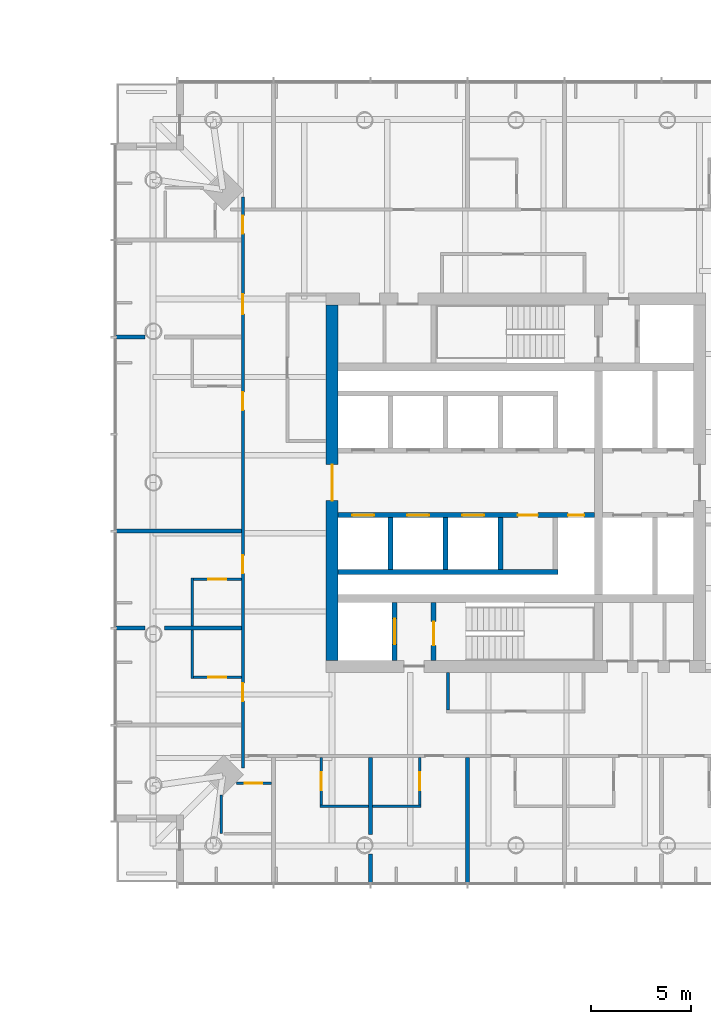
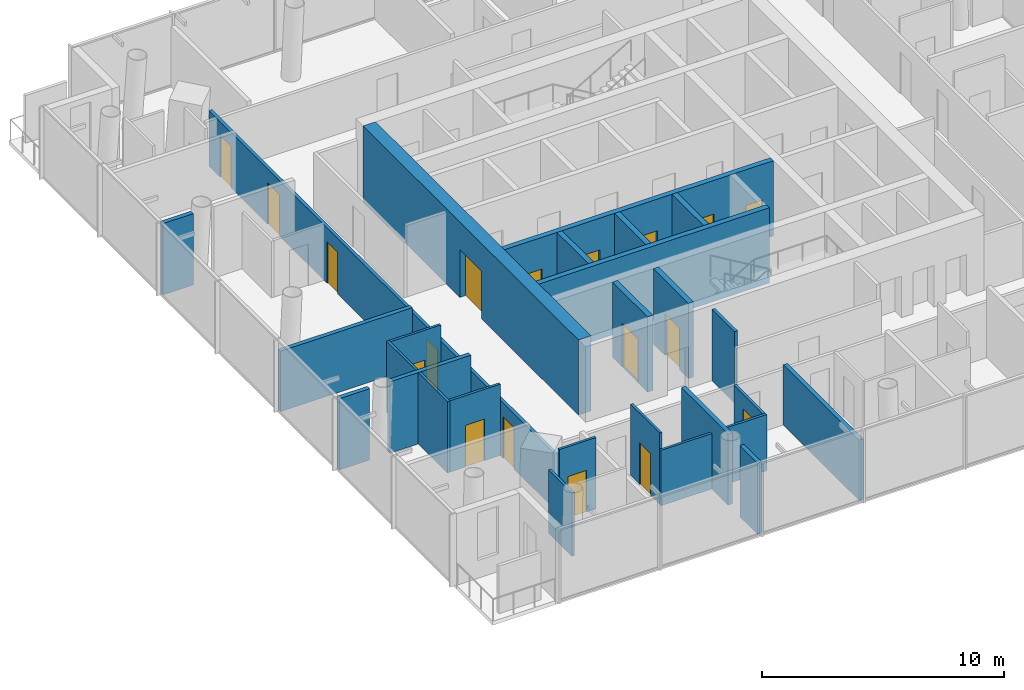
# One storey, part 14 of 22: 27 walls, 18 doors, 18 openings.
"""IFC4 building model written with IfcOpenShell, lengths in metres."""

from ifc_helpers import new_model, si_unit, direction, frame, frame_2d, origin, place, context, subcontext, project, spatial, rectangle, extrude, material, layer, layer_set, type_object, element, fill, save


model = new_model("IFC4")

# Units and contexts
model_context = context("Model", 3, precision=1e-05, world=origin(), true_north=direction((0.0, 1.0)))
body_context = subcontext(model_context, "Body", "Model", "MODEL_VIEW")
ifc_project = project(units=[si_unit("LENGTHUNIT", "METRE"), si_unit("AREAUNIT", "SQUARE_METRE"), si_unit("VOLUMEUNIT", "CUBIC_METRE"), si_unit("PLANEANGLEUNIT", "RADIAN"), si_unit("MASSUNIT", "GRAM", prefix="KILO")], contexts=[model_context])

# Site, building, storey
site_placement = place(None, origin())
site = spatial("IfcSite", under=ifc_project, at=site_placement, CompositionType="ELEMENT")
building_placement = place(site_placement, origin())
building = spatial("IfcBuilding", under=site, at=building_placement, Name="Ostroluk Exchange", CompositionType="ELEMENT")
storey_placement = place(building_placement, frame((0.0, 0.0, 40.0)))
storey = spatial("IfcBuildingStorey", under=building, at=storey_placement, Name="L09", CompositionType="ELEMENT", Elevation=40.0)

# Wall, opening, door
ifc_material_1 = material(Name="Concrete C40/50", Category="concrete")
ifc_layer_1 = layer(ifc_material_1, 0.25)
ifc_layer_set_1 = layer_set([ifc_layer_1], Name="Core shaft wall 250")
wall_type_1 = type_object("IfcWallType", Name="Core shaft wall 250", PredefinedType="SHEAR", material=ifc_layer_set_1)
wall_1_placement = place(storey_placement, frame((110.925048828125, 37.10009765625, 0.0), z_axis=(0.0, 0.0, 1.0), x_axis=(0.0, 1.0, 0.0)))
wall_1 = element("IfcWall", 1, at=wall_1_placement, inside=storey, type_object=wall_type_1, Name="Firefighting lift shaft wall", PredefinedType="SHEAR", context=body_context, shape_type="SweptSolid", body=[
    extrude(rectangle(XDim=2.89990234375, YDim=0.25, at=frame_2d((1.449951171875, 0.0))), origin(), (0.0, 0.0, 1.0), 3.800048828125),
])
opening_1_placement = place(wall_1_placement, frame((0.800048828125, 0.0, 0.0)))
opening_1 = element("IfcOpeningElement", 2, at=opening_1_placement, cuts=wall_1, Name="Opening LD2", PredefinedType="OPENING", context=body_context, shape_type="SweptSolid", body=[
    extrude(rectangle(XDim=1.300048828125, YDim=2.199951171875, at=frame_2d((0.64990234375, 1.10009765625))), frame((0.0, 0.135009765625, 0.0), z_axis=(0.0, -1.0, 0.0), x_axis=(1.0, 0.0, 0.0)), (0.0, 0.0, 1.0), 0.27001953125),
])
ifc_material_2 = material(Name="Stainless steel", Category="steel")
door_type_1 = type_object("IfcDoorType", Name="Lift landing door E 60 1300 x 2200", OperationType="DOUBLE_DOOR_SLIDING", PredefinedType="DOOR", material=ifc_material_2)
door_1_placement = place(opening_1_placement, origin())
door_1 = element("IfcDoor", 3, at=door_1_placement, inside=storey, type_object=door_type_1, Name="Lift HF1 landing door", OperationType="DOUBLE_DOOR_SLIDING", OverallHeight=2.199951171875, OverallWidth=1.300048828125, PredefinedType="DOOR", context=body_context, shape_type="SweptSolid", body=[
    extrude(rectangle(XDim=1.300048828125, YDim=2.199951171875, at=frame_2d((0.64990234375, 1.10009765625))), frame((0.0, 0.02490234375, 0.0), z_axis=(0.0, -1.0, 0.0), x_axis=(1.0, 0.0, 0.0)), (0.0, 0.0, 1.0), 0.050048828125),
])
fill(opening_1, door_1)

wall_2_placement = place(storey_placement, frame((112.875, 37.10009765625, 0.0), z_axis=(0.0, 0.0, 1.0), x_axis=(0.0, 1.0, 0.0)))
wall_2 = element("IfcWall", 4, at=wall_2_placement, inside=storey, type_object=wall_type_1, Name="Stair shaft wall", PredefinedType="SHEAR", context=body_context, shape_type="SweptSolid", body=[
    extrude(rectangle(XDim=2.89990234375, YDim=0.25, at=frame_2d((1.449951171875, 0.0))), origin(), (0.0, 0.0, 1.0), 3.800048828125),
])
opening_2_placement = place(wall_2_placement, frame((0.75, 0.0, 0.0)))
opening_2 = element("IfcOpeningElement", 5, at=opening_2_placement, cuts=wall_2, Name="Opening FD60S", PredefinedType="OPENING", context=body_context, shape_type="SweptSolid", body=[
    extrude(rectangle(XDim=1.199951171875, YDim=2.10009765625, at=frame_2d((0.60009765625, 1.050048828125))), frame((0.0, 0.135009765625, 0.0), z_axis=(0.0, -1.0, 0.0), x_axis=(1.0, 0.0, 0.0)), (0.0, 0.0, 1.0), 0.27001953125),
])
ifc_material_3 = material(Name="Steel", Category="steel")
door_type_2 = type_object("IfcDoorType", Name="Stair door EI 60 1200 x 2100", OperationType="SINGLE_SWING_LEFT", PredefinedType="DOOR", material=ifc_material_3)
door_2_placement = place(opening_2_placement, origin())
door_2 = element("IfcDoor", 6, at=door_2_placement, inside=storey, type_object=door_type_2, Name="Stair T2-S1 door", OperationType="SINGLE_SWING_LEFT", OverallHeight=2.10009765625, OverallWidth=1.199951171875, PredefinedType="DOOR", context=body_context, shape_type="SweptSolid", body=[
    extrude(rectangle(XDim=1.199951171875, YDim=2.10009765625, at=frame_2d((0.60009765625, 1.050048828125))), frame((0.0, 0.02490234375, 0.0), z_axis=(0.0, -1.0, 0.0), x_axis=(1.0, 0.0, 0.0)), (0.0, 0.0, 1.0), 0.050048828125),
])
fill(opening_2, door_2)

# Walls
for number, where, z_axis, x_axis, name in (
    (7, (110.72509765625, 44.25, 0.0), (0.0, 0.0, 1.0), (0.0, -1.0, 0.0), "Lift shaft wall"),
    (8, (113.47509765625, 44.25, 0.0), (0.0, 0.0, 1.0), (0.0, -1.0, 0.0), "Lift shaft wall"),
    (9, (116.22509765625, 44.25, 0.0), (0.0, 0.0, 1.0), (0.0, -1.0, 0.0), "Lift shaft wall"),
):
    element("IfcWall", number, at=place(storey_placement, frame(where, z_axis=z_axis, x_axis=x_axis)), inside=storey, type_object=wall_type_1, Name=name, PredefinedType="SHEAR", context=body_context, shape_type="SweptSolid", body=[
        extrude(rectangle(XDim=2.60009765625, YDim=0.25, at=frame_2d((1.300048828125, 0.0))), origin(), (0.0, 0.0, 1.0), 3.800048828125),
    ])
wall_3_placement = place(storey_placement, frame((108.10009765625, 41.52490234375, 0.0), z_axis=(0.0, 0.0, 1.0), x_axis=(1.0, 0.0, 0.0)))
element("IfcWall", 10, at=wall_3_placement, inside=storey, type_object=wall_type_1, Name="Lift shaft wall", PredefinedType="SHEAR", context=body_context, shape_type="SweptSolid", body=[
    extrude(rectangle(XDim=11.0, YDim=0.25, at=frame_2d((5.5, 0.0))), origin(), (0.0, 0.0, 1.0), 3.800048828125),
])

# Wall, openings, doors
wall_4_placement = place(storey_placement, frame((108.10009765625, 44.375, 0.0), z_axis=(0.0, 0.0, 1.0), x_axis=(1.0, 0.0, 0.0)))
wall_4 = element("IfcWall", 11, at=wall_4_placement, inside=storey, type_object=wall_type_1, Name="Lift shaft front wall", PredefinedType="SHEAR", context=body_context, shape_type="SweptSolid", body=[
    extrude(rectangle(XDim=12.829833984375, YDim=0.25, at=frame_2d((6.4150390625, 0.0))), origin(), (0.0, 0.0, 1.0), 3.800048828125),
])
opening_3_placement = place(wall_4_placement, frame((0.699951171875, 0.0, 0.0)))
opening_3 = element("IfcOpeningElement", 12, at=opening_3_placement, cuts=wall_4, Name="Opening LD", PredefinedType="OPENING", context=body_context, shape_type="SweptSolid", body=[
    extrude(rectangle(XDim=1.10009765625, YDim=2.199951171875, at=frame_2d((0.550048828125, 1.10009765625))), frame((0.0, 0.135009765625, 0.0), z_axis=(0.0, -1.0, 0.0), x_axis=(1.0, 0.0, 0.0)), (0.0, 0.0, 1.0), 0.27001953125),
])
opening_4_placement = place(wall_4_placement, frame((3.449951171875, 0.0, 0.0)))
opening_4 = element("IfcOpeningElement", 13, at=opening_4_placement, cuts=wall_4, Name="Opening LD", PredefinedType="OPENING", context=body_context, shape_type="SweptSolid", body=[
    extrude(rectangle(XDim=1.10009765625, YDim=2.199951171875, at=frame_2d((0.550048828125, 1.10009765625))), frame((0.0, 0.135009765625, 0.0), z_axis=(0.0, -1.0, 0.0), x_axis=(1.0, 0.0, 0.0)), (0.0, 0.0, 1.0), 0.27001953125),
])
opening_5_placement = place(wall_4_placement, frame((6.199951171875, 0.0, 0.0)))
opening_5 = element("IfcOpeningElement", 14, at=opening_5_placement, cuts=wall_4, Name="Opening LD", PredefinedType="OPENING", context=body_context, shape_type="SweptSolid", body=[
    extrude(rectangle(XDim=1.10009765625, YDim=2.199951171875, at=frame_2d((0.550048828125, 1.10009765625))), frame((0.0, 0.135009765625, 0.0), z_axis=(0.0, -1.0, 0.0), x_axis=(1.0, 0.0, 0.0)), (0.0, 0.0, 1.0), 0.27001953125),
])
opening_6_placement = place(wall_4_placement, frame((9.0, 0.0, 0.0)))
opening_6 = element("IfcOpeningElement", 15, at=opening_6_placement, cuts=wall_4, Name="Opening FD60", PredefinedType="OPENING", context=body_context, shape_type="SweptSolid", body=[
    extrude(rectangle(XDim=1.0, YDim=2.10009765625, at=frame_2d((0.5, 1.050048828125))), frame((0.0, 0.135009765625, 0.0), z_axis=(0.0, -1.0, 0.0), x_axis=(1.0, 0.0, 0.0)), (0.0, 0.0, 1.0), 0.27001953125),
])
opening_7_placement = place(wall_4_placement, frame((11.514892578125, 0.0, 0.0)))
opening_7 = element("IfcOpeningElement", 16, at=opening_7_placement, cuts=wall_4, Name="Opening RD60", PredefinedType="OPENING", context=body_context, shape_type="SweptSolid", body=[
    extrude(rectangle(XDim=0.800048828125, YDim=2.0, at=frame_2d((0.39990234375, 1.0))), frame((0.0, 0.135009765625, 0.0), z_axis=(0.0, -1.0, 0.0), x_axis=(1.0, 0.0, 0.0)), (0.0, 0.0, 1.0), 0.27001953125),
])
ifc_material_4 = material(Name="Steel", Category="steel")
door_type_3 = type_object("IfcDoorType", Name="Fire door EI 60 1000 x 2100", OperationType="SINGLE_SWING_LEFT", PredefinedType="DOOR", material=ifc_material_4)
door_3_placement = place(opening_6_placement, origin())
door_3 = element("IfcDoor", 17, at=door_3_placement, inside=storey, type_object=door_type_3, Name="Core room door", OperationType="SINGLE_SWING_RIGHT", OverallHeight=2.10009765625, OverallWidth=1.0, PredefinedType="DOOR", context=body_context, shape_type="SweptSolid", body=[
    extrude(rectangle(XDim=1.0, YDim=2.10009765625, at=frame_2d((0.5, 1.050048828125))), frame((0.0, 0.02490234375, 0.0), z_axis=(0.0, -1.0, 0.0), x_axis=(1.0, 0.0, 0.0)), (0.0, 0.0, 1.0), 0.050048828125),
])
fill(opening_6, door_3)
ifc_material_5 = material(Name="Stainless steel", Category="steel")
door_type_4 = type_object("IfcDoorType", Name="Lift landing door E 60 1100 x 2200", OperationType="DOUBLE_DOOR_SLIDING", PredefinedType="DOOR", material=ifc_material_5)
door_4_placement = place(opening_3_placement, origin())
door_4 = element("IfcDoor", 18, at=door_4_placement, inside=storey, type_object=door_type_4, Name="Lift HL5 landing door", OperationType="DOUBLE_DOOR_SLIDING", OverallHeight=2.199951171875, OverallWidth=1.10009765625, PredefinedType="DOOR", context=body_context, shape_type="SweptSolid", body=[
    extrude(rectangle(XDim=1.10009765625, YDim=2.199951171875, at=frame_2d((0.550048828125, 1.10009765625))), frame((0.0, 0.02490234375, 0.0), z_axis=(0.0, -1.0, 0.0), x_axis=(1.0, 0.0, 0.0)), (0.0, 0.0, 1.0), 0.050048828125),
])
fill(opening_3, door_4)
door_5_placement = place(opening_4_placement, origin())
door_5 = element("IfcDoor", 19, at=door_5_placement, inside=storey, type_object=door_type_4, Name="Lift HL6 landing door", OperationType="DOUBLE_DOOR_SLIDING", OverallHeight=2.199951171875, OverallWidth=1.10009765625, PredefinedType="DOOR", context=body_context, shape_type="SweptSolid", body=[
    extrude(rectangle(XDim=1.10009765625, YDim=2.199951171875, at=frame_2d((0.550048828125, 1.10009765625))), frame((0.0, 0.02490234375, 0.0), z_axis=(0.0, -1.0, 0.0), x_axis=(1.0, 0.0, 0.0)), (0.0, 0.0, 1.0), 0.050048828125),
])
fill(opening_4, door_5)
door_6_placement = place(opening_5_placement, origin())
door_6 = element("IfcDoor", 20, at=door_6_placement, inside=storey, type_object=door_type_4, Name="Lift HL7 landing door", OperationType="DOUBLE_DOOR_SLIDING", OverallHeight=2.199951171875, OverallWidth=1.10009765625, PredefinedType="DOOR", context=body_context, shape_type="SweptSolid", body=[
    extrude(rectangle(XDim=1.10009765625, YDim=2.199951171875, at=frame_2d((0.550048828125, 1.10009765625))), frame((0.0, 0.02490234375, 0.0), z_axis=(0.0, -1.0, 0.0), x_axis=(1.0, 0.0, 0.0)), (0.0, 0.0, 1.0), 0.050048828125),
])
fill(opening_5, door_6)
ifc_material_6 = material(Name="Steel", Category="steel")
door_type_5 = type_object("IfcDoorType", Name="Riser access door EI 60 800 x 2000", OperationType="SINGLE_SWING_LEFT", PredefinedType="DOOR", material=ifc_material_6)
door_7_placement = place(opening_7_placement, origin())
door_7 = element("IfcDoor", 21, at=door_7_placement, inside=storey, type_object=door_type_5, Name="Riser access door", OperationType="SINGLE_SWING_RIGHT", OverallHeight=2.0, OverallWidth=0.800048828125, PredefinedType="DOOR", context=body_context, shape_type="SweptSolid", body=[
    extrude(rectangle(XDim=0.800048828125, YDim=2.0, at=frame_2d((0.39990234375, 1.0))), frame((0.0, 0.02490234375, 0.0), z_axis=(0.0, -1.0, 0.0), x_axis=(1.0, 0.0, 0.0)), (0.0, 0.0, 1.0), 0.050048828125),
])
fill(opening_7, door_7)

# Wall, opening, door
ifc_material_7 = material(Name="Concrete C50/60", Category="concrete")
ifc_layer_2 = layer(ifc_material_7, 0.60009765625)
ifc_layer_set_2 = layer_set([ifc_layer_2], Name="Core wall 600 C50/60")
wall_type_2 = type_object("IfcWallType", Name="Core wall 600 C50/60", PredefinedType="SHEAR", material=ifc_layer_set_2)
wall_5_placement = place(storey_placement, frame((107.800048828125, 37.10009765625, 0.0), z_axis=(0.0, 0.0, 1.0), x_axis=(0.0, 1.0, 0.0)))
wall_5 = element("IfcWall", 22, at=wall_5_placement, inside=storey, type_object=wall_type_2, Name="T2 core wall W", PredefinedType="SHEAR", context=body_context, shape_type="SweptSolid", body=[
    extrude(rectangle(XDim=17.7998046875, YDim=0.60009765625, at=frame_2d((8.89990234375, 0.0))), origin(), (0.0, 0.0, 1.0), 3.800048828125),
])
opening_8_placement = place(wall_5_placement, frame((8.0, 0.0, 0.0)))
opening_8 = element("IfcOpeningElement", 23, at=opening_8_placement, cuts=wall_5, Name="Opening FD30D", PredefinedType="OPENING", context=body_context, shape_type="SweptSolid", body=[
    extrude(rectangle(XDim=1.800048828125, YDim=2.39990234375, at=frame_2d((0.89990234375, 1.199951171875))), frame((0.0, 0.31005859375, 0.0), z_axis=(0.0, -1.0, 0.0), x_axis=(1.0, 0.0, 0.0)), (0.0, 0.0, 1.0), 0.6201171875),
])
ifc_material_8 = material(Name="Timber", Category="wood")
door_type_6 = type_object("IfcDoorType", Name="Lobby double door EI 30 1800 x 2400", OperationType="DOUBLE_DOOR_SINGLE_SWING", PredefinedType="DOOR", material=ifc_material_8)
door_8_placement = place(opening_8_placement, origin())
door_8 = element("IfcDoor", 24, at=door_8_placement, inside=storey, type_object=door_type_6, Name="Lift lobby doors", OperationType="DOUBLE_DOOR_SINGLE_SWING", OverallHeight=2.39990234375, OverallWidth=1.800048828125, PredefinedType="DOOR", context=body_context, shape_type="SweptSolid", body=[
    extrude(rectangle(XDim=1.800048828125, YDim=2.39990234375, at=frame_2d((0.89990234375, 1.199951171875))), frame((0.0, 0.02490234375, 0.0), z_axis=(0.0, -1.0, 0.0), x_axis=(1.0, 0.0, 0.0)), (0.0, 0.0, 1.0), 0.050048828125),
])
fill(opening_8, door_8)

# Wall
ifc_material_9 = material(Name="Gypsum plasterboard partition, moisture resistant", Category="gypsum")
ifc_layer_3 = layer(ifc_material_9, 0.1201171875)
ifc_layer_set_3 = layer_set([ifc_layer_3], Name="Plasterboard en-suite wall 120")
wall_type_3 = type_object("IfcWallType", Name="Plasterboard en-suite wall 120", PredefinedType="PARTITIONING", material=ifc_layer_set_3)
wall_6_placement = place(storey_placement, frame((100.7900390625, 41.234375, 0.0), z_axis=(0.0, 0.0, 1.0), x_axis=(0.0, -1.0, 0.0)))
element("IfcWall", 25, at=wall_6_placement, inside=storey, type_object=wall_type_3, Name="En-suite wall", PredefinedType="PARTITIONING", context=body_context, shape_type="SweptSolid", body=[
    extrude(rectangle(XDim=2.420166015625, YDim=0.1201171875, at=frame_2d((1.2099609375, 0.0))), origin(), (0.0, 0.0, 1.0), 3.60009765625),
])

# Wall, opening, door
wall_7_placement = place(storey_placement, frame((103.25, 41.17431640625, 0.0), z_axis=(0.0, 0.0, 1.0), x_axis=(-1.0, 0.0, 0.0)))
wall_7 = element("IfcWall", 26, at=wall_7_placement, inside=storey, type_object=wall_type_3, Name="En-suite wall", PredefinedType="PARTITIONING", context=body_context, shape_type="SweptSolid", body=[
    extrude(rectangle(XDim=2.39990234375, YDim=0.1201171875, at=frame_2d((1.199951171875, 0.0))), origin(), (0.0, 0.0, 1.0), 3.60009765625),
])
opening_9_placement = place(wall_7_placement, frame((0.75, 0.0, 0.0)))
opening_9 = element("IfcOpeningElement", 27, at=opening_9_placement, cuts=wall_7, Name="Opening D-02", PredefinedType="OPENING", context=body_context, shape_type="SweptSolid", body=[
    extrude(rectangle(XDim=0.89990234375, YDim=2.10009765625, at=frame_2d((0.449951171875, 1.050048828125))), frame((0.0, 0.070068359375, 0.0), z_axis=(0.0, -1.0, 0.0), x_axis=(1.0, 0.0, 0.0)), (0.0, 0.0, 1.0), 0.14013671875),
])
ifc_material_10 = material(Name="Timber", Category="wood")
door_type_7 = type_object("IfcDoorType", Name="En-suite door 900 x 2100", OperationType="SINGLE_SWING_LEFT", PredefinedType="DOOR", material=ifc_material_10)
door_9_placement = place(opening_9_placement, origin())
door_9 = element("IfcDoor", 28, at=door_9_placement, inside=storey, type_object=door_type_7, Name="En-suite door 911", OperationType="SINGLE_SWING_LEFT", OverallHeight=2.10009765625, OverallWidth=0.89990234375, PredefinedType="DOOR", context=body_context, shape_type="SweptSolid", body=[
    extrude(rectangle(XDim=0.89990234375, YDim=2.10009765625, at=frame_2d((0.449951171875, 1.050048828125))), frame((0.0, 0.02490234375, 0.0), z_axis=(0.0, -1.0, 0.0), x_axis=(1.0, 0.0, 0.0)), (0.0, 0.0, 1.0), 0.050048828125),
])
fill(opening_9, door_9)

# Wall
wall_8_placement = place(storey_placement, frame((100.7900390625, 38.6142578125, 0.0), z_axis=(0.0, 0.0, 1.0), x_axis=(0.0, -1.0, 0.0)))
element("IfcWall", 29, at=wall_8_placement, inside=storey, type_object=wall_type_3, Name="En-suite wall", PredefinedType="PARTITIONING", context=body_context, shape_type="SweptSolid", body=[
    extrude(rectangle(XDim=2.419921875, YDim=0.1201171875, at=frame_2d((1.2099609375, 0.0))), origin(), (0.0, 0.0, 1.0), 3.60009765625),
])

# Wall, opening, door
wall_9_placement = place(storey_placement, frame((103.25, 36.25439453125, 0.0), z_axis=(0.0, 0.0, 1.0), x_axis=(-1.0, 0.0, 0.0)))
wall_9 = element("IfcWall", 30, at=wall_9_placement, inside=storey, type_object=wall_type_3, Name="En-suite wall", PredefinedType="PARTITIONING", context=body_context, shape_type="SweptSolid", body=[
    extrude(rectangle(XDim=2.39990234375, YDim=0.1201171875, at=frame_2d((1.199951171875, 0.0))), origin(), (0.0, 0.0, 1.0), 3.60009765625),
])
opening_10_placement = place(wall_9_placement, frame((0.75, 0.0, 0.0)))
opening_10 = element("IfcOpeningElement", 31, at=opening_10_placement, cuts=wall_9, Name="Opening D-02", PredefinedType="OPENING", context=body_context, shape_type="SweptSolid", body=[
    extrude(rectangle(XDim=0.89990234375, YDim=2.10009765625, at=frame_2d((0.449951171875, 1.050048828125))), frame((0.0, 0.070068359375, 0.0), z_axis=(0.0, -1.0, 0.0), x_axis=(1.0, 0.0, 0.0)), (0.0, 0.0, 1.0), 0.14013671875),
])
door_10_placement = place(opening_10_placement, origin())
door_10 = element("IfcDoor", 32, at=door_10_placement, inside=storey, type_object=door_type_7, Name="En-suite door 912", OperationType="SINGLE_SWING_LEFT", OverallHeight=2.10009765625, OverallWidth=0.89990234375, PredefinedType="DOOR", context=body_context, shape_type="SweptSolid", body=[
    extrude(rectangle(XDim=0.89990234375, YDim=2.10009765625, at=frame_2d((0.449951171875, 1.050048828125))), frame((0.0, 0.02490234375, 0.0), z_axis=(0.0, -1.0, 0.0), x_axis=(1.0, 0.0, 0.0)), (0.0, 0.0, 1.0), 0.050048828125),
])
fill(opening_10, door_10)

wall_10_placement = place(storey_placement, frame((104.757080078125, 30.949951171875, 0.0), z_axis=(0.0, 0.0, 1.0), x_axis=(-1.0, 0.0, 0.0)))
wall_10 = element("IfcWall", 33, at=wall_10_placement, inside=storey, type_object=wall_type_3, Name="En-suite wall", PredefinedType="PARTITIONING", context=body_context, shape_type="SweptSolid", body=[
    extrude(rectangle(XDim=1.757080078125, YDim=0.1201171875, at=frame_2d((0.87841796875, 0.0))), origin(), (0.0, 0.0, 1.0), 3.60009765625),
])
opening_11_placement = place(wall_10_placement, frame((0.449951171875, 0.0, 0.0)))
opening_11 = element("IfcOpeningElement", 34, at=opening_11_placement, cuts=wall_10, Name="Opening D-02", PredefinedType="OPENING", context=body_context, shape_type="SweptSolid", body=[
    extrude(rectangle(XDim=0.89990234375, YDim=2.10009765625, at=frame_2d((0.449951171875, 1.050048828125))), frame((0.0, 0.070068359375, 0.0), z_axis=(0.0, -1.0, 0.0), x_axis=(1.0, 0.0, 0.0)), (0.0, 0.0, 1.0), 0.14013671875),
])
door_11_placement = place(opening_11_placement, origin())
door_11 = element("IfcDoor", 35, at=door_11_placement, inside=storey, type_object=door_type_7, Name="En-suite door 913", OperationType="SINGLE_SWING_RIGHT", OverallHeight=2.10009765625, OverallWidth=0.89990234375, PredefinedType="DOOR", context=body_context, shape_type="SweptSolid", body=[
    extrude(rectangle(XDim=0.89990234375, YDim=2.10009765625, at=frame_2d((0.449951171875, 1.050048828125))), frame((0.0, 0.02490234375, 0.0), z_axis=(0.0, -1.0, 0.0), x_axis=(1.0, 0.0, 0.0)), (0.0, 0.0, 1.0), 0.050048828125),
])
fill(opening_11, door_11)

# Walls
wall_11_placement = place(storey_placement, frame((102.237060546875, 30.350830078125, 0.0), z_axis=(0.0, 0.0, 1.0), x_axis=(0.0, -1.0, 0.0)))
element("IfcWall", 36, at=wall_11_placement, inside=storey, type_object=wall_type_3, Name="En-suite wall", PredefinedType="PARTITIONING", context=body_context, shape_type="SweptSolid", body=[
    extrude(rectangle(XDim=1.9208984375, YDim=0.1201171875, at=frame_2d((0.96044921875, 0.0))), origin(), (0.0, 0.0, 1.0), 3.199951171875),
])
wall_12_placement = place(storey_placement, frame((107.1943359375, 29.7900390625, 0.0), z_axis=(0.0, 0.0, 1.0), x_axis=(1.0, 0.0, 0.0)))
element("IfcWall", 37, at=wall_12_placement, inside=storey, type_object=wall_type_3, Name="En-suite wall", PredefinedType="PARTITIONING", context=body_context, shape_type="SweptSolid", body=[
    extrude(rectangle(XDim=2.419921875, YDim=0.1201171875, at=frame_2d((1.2099609375, 0.0))), origin(), (0.0, 0.0, 1.0), 2.800048828125),
])

# Wall, opening, door
wall_13_placement = place(storey_placement, frame((107.25439453125, 32.25, 0.0), z_axis=(0.0, 0.0, 1.0), x_axis=(0.0, -1.0, 0.0)))
wall_13 = element("IfcWall", 38, at=wall_13_placement, inside=storey, type_object=wall_type_3, Name="En-suite wall", PredefinedType="PARTITIONING", context=body_context, shape_type="SweptSolid", body=[
    extrude(rectangle(XDim=2.39990234375, YDim=0.1201171875, at=frame_2d((1.199951171875, 0.0))), origin(), (0.0, 0.0, 1.0), 3.60009765625),
])
opening_12_placement = place(wall_13_placement, frame((0.75, 0.0, 0.0)))
opening_12 = element("IfcOpeningElement", 39, at=opening_12_placement, cuts=wall_13, Name="Opening D-02", PredefinedType="OPENING", context=body_context, shape_type="SweptSolid", body=[
    extrude(rectangle(XDim=0.89990234375, YDim=2.10009765625, at=frame_2d((0.449951171875, 1.050048828125))), frame((0.0, 0.070068359375, 0.0), z_axis=(0.0, -1.0, 0.0), x_axis=(1.0, 0.0, 0.0)), (0.0, 0.0, 1.0), 0.14013671875),
])
door_12_placement = place(opening_12_placement, origin())
door_12 = element("IfcDoor", 40, at=door_12_placement, inside=storey, type_object=door_type_7, Name="En-suite door 914", OperationType="SINGLE_SWING_RIGHT", OverallHeight=2.10009765625, OverallWidth=0.89990234375, PredefinedType="DOOR", context=body_context, shape_type="SweptSolid", body=[
    extrude(rectangle(XDim=0.89990234375, YDim=2.10009765625, at=frame_2d((0.449951171875, 1.050048828125))), frame((0.0, 0.02490234375, 0.0), z_axis=(0.0, -1.0, 0.0), x_axis=(1.0, 0.0, 0.0)), (0.0, 0.0, 1.0), 0.050048828125),
])
fill(opening_12, door_12)

# Wall
wall_14_placement = place(storey_placement, frame((109.814208984375, 29.7900390625, 0.0), z_axis=(0.0, 0.0, 1.0), x_axis=(1.0, 0.0, 0.0)))
element("IfcWall", 41, at=wall_14_placement, inside=storey, type_object=wall_type_3, Name="En-suite wall", PredefinedType="PARTITIONING", context=body_context, shape_type="SweptSolid", body=[
    extrude(rectangle(XDim=2.420166015625, YDim=0.1201171875, at=frame_2d((1.2099609375, 0.0))), origin(), (0.0, 0.0, 1.0), 2.846923828125),
])

# Wall, opening, door
wall_15_placement = place(storey_placement, frame((112.17431640625, 32.25, 0.0), z_axis=(0.0, 0.0, 1.0), x_axis=(0.0, -1.0, 0.0)))
wall_15 = element("IfcWall", 42, at=wall_15_placement, inside=storey, type_object=wall_type_3, Name="En-suite wall", PredefinedType="PARTITIONING", context=body_context, shape_type="SweptSolid", body=[
    extrude(rectangle(XDim=2.39990234375, YDim=0.1201171875, at=frame_2d((1.199951171875, 0.0))), origin(), (0.0, 0.0, 1.0), 2.846923828125),
])
opening_13_placement = place(wall_15_placement, frame((0.75, 0.0, 0.0)))
opening_13 = element("IfcOpeningElement", 43, at=opening_13_placement, cuts=wall_15, Name="Opening D-02", PredefinedType="OPENING", context=body_context, shape_type="SweptSolid", body=[
    extrude(rectangle(XDim=0.89990234375, YDim=2.10009765625, at=frame_2d((0.449951171875, 1.050048828125))), frame((0.0, 0.070068359375, 0.0), z_axis=(0.0, -1.0, 0.0), x_axis=(1.0, 0.0, 0.0)), (0.0, 0.0, 1.0), 0.14013671875),
])
door_13_placement = place(opening_13_placement, origin())
door_13 = element("IfcDoor", 44, at=door_13_placement, inside=storey, type_object=door_type_7, Name="En-suite door 915", OperationType="SINGLE_SWING_RIGHT", OverallHeight=2.10009765625, OverallWidth=0.89990234375, PredefinedType="DOOR", context=body_context, shape_type="SweptSolid", body=[
    extrude(rectangle(XDim=0.89990234375, YDim=2.10009765625, at=frame_2d((0.449951171875, 1.050048828125))), frame((0.0, 0.02490234375, 0.0), z_axis=(0.0, -1.0, 0.0), x_axis=(1.0, 0.0, 0.0)), (0.0, 0.0, 1.0), 0.050048828125),
])
fill(opening_13, door_13)

# Wall
ifc_material_11 = material(Name="Gypsum plasterboard partition", Category="gypsum")
ifc_layer_4 = layer(ifc_material_11, 0.14990234375)
ifc_layer_set_4 = layer_set([ifc_layer_4], Name="Plasterboard partition 150")
wall_type_4 = type_object("IfcWallType", Name="Plasterboard partition 150", PredefinedType="PARTITIONING", material=ifc_layer_set_4)
wall_16_placement = place(storey_placement, frame((113.60009765625, 36.5, 0.0), z_axis=(0.0, 0.0, 1.0), x_axis=(0.0, -1.0, 0.0)))
element("IfcWall", 45, at=wall_16_placement, inside=storey, type_object=wall_type_4, Name="Partition", PredefinedType="PARTITIONING", context=body_context, shape_type="SweptSolid", body=[
    extrude(rectangle(XDim=1.875, YDim=0.14990234375, at=frame_2d((0.9375, 0.0))), origin(), (0.0, 0.0, 1.0), 3.60009765625),
])

# Wall, openings, doors
wall_17_placement = place(storey_placement, frame((103.324951171875, 60.29443359375, 0.0), z_axis=(0.0, 0.0, 1.0), x_axis=(0.0, -1.0, 0.0)))
wall_17 = element("IfcWall", 46, at=wall_17_placement, inside=storey, type_object=wall_type_4, Name="Corridor wall", PredefinedType="PARTITIONING", context=body_context, shape_type="SweptSolid", body=[
    extrude(rectangle(XDim=28.5888671875, YDim=0.14990234375, at=frame_2d((14.29443359375, 0.0))), origin(), (0.0, 0.0, 1.0), 2.800048828125),
])
opening_14_placement = place(wall_17_placement, frame((0.923095703125, 0.0, 0.0)))
opening_14 = element("IfcOpeningElement", 47, at=opening_14_placement, cuts=wall_17, Name="Opening D-01", PredefinedType="OPENING", context=body_context, shape_type="SweptSolid", body=[
    extrude(rectangle(XDim=0.89990234375, YDim=2.10009765625, at=frame_2d((0.449951171875, 1.050048828125))), frame((0.0, 0.0849609375, 0.0), z_axis=(0.0, -1.0, 0.0), x_axis=(1.0, 0.0, 0.0)), (0.0, 0.0, 1.0), 0.169921875),
])
opening_15_placement = place(wall_17_placement, frame((4.8515625, 0.0, 0.0)))
opening_15 = element("IfcOpeningElement", 48, at=opening_15_placement, cuts=wall_17, Name="Opening D-03", PredefinedType="OPENING", context=body_context, shape_type="SweptSolid", body=[
    extrude(rectangle(XDim=1.0, YDim=2.10009765625, at=frame_2d((0.5, 1.050048828125))), frame((0.0, 0.0849609375, 0.0), z_axis=(0.0, -1.0, 0.0), x_axis=(1.0, 0.0, 0.0)), (0.0, 0.0, 1.0), 0.169921875),
])
opening_16_placement = place(wall_17_placement, frame((9.7587890625, 0.0, 0.0)))
opening_16 = element("IfcOpeningElement", 49, at=opening_16_placement, cuts=wall_17, Name="Opening D-01", PredefinedType="OPENING", context=body_context, shape_type="SweptSolid", body=[
    extrude(rectangle(XDim=0.89990234375, YDim=2.10009765625, at=frame_2d((0.449951171875, 1.050048828125))), frame((0.0, 0.0849609375, 0.0), z_axis=(0.0, -1.0, 0.0), x_axis=(1.0, 0.0, 0.0)), (0.0, 0.0, 1.0), 0.169921875),
])
opening_17_placement = place(wall_17_placement, frame((17.93017578125, 0.0, 0.0)))
opening_17 = element("IfcOpeningElement", 50, at=opening_17_placement, cuts=wall_17, Name="Opening D-01", PredefinedType="OPENING", context=body_context, shape_type="SweptSolid", body=[
    extrude(rectangle(XDim=0.89990234375, YDim=2.10009765625, at=frame_2d((0.449951171875, 1.050048828125))), frame((0.0, 0.0849609375, 0.0), z_axis=(0.0, -1.0, 0.0), x_axis=(1.0, 0.0, 0.0)), (0.0, 0.0, 1.0), 0.169921875),
])
opening_18_placement = place(wall_17_placement, frame((24.330322265625, 0.0, 0.0)))
opening_18 = element("IfcOpeningElement", 51, at=opening_18_placement, cuts=wall_17, Name="Opening D-01", PredefinedType="OPENING", context=body_context, shape_type="SweptSolid", body=[
    extrude(rectangle(XDim=0.89990234375, YDim=2.10009765625, at=frame_2d((0.449951171875, 1.050048828125))), frame((0.0, 0.0849609375, 0.0), z_axis=(0.0, -1.0, 0.0), x_axis=(1.0, 0.0, 0.0)), (0.0, 0.0, 1.0), 0.169921875),
])
ifc_material_12 = material(Name="Timber", Category="wood")
door_type_8 = type_object("IfcDoorType", Name="Hotel room door EI 30 Sa 900 x 2100", OperationType="SINGLE_SWING_LEFT", PredefinedType="DOOR", material=ifc_material_12)
door_14_placement = place(opening_14_placement, origin())
door_14 = element("IfcDoor", 52, at=door_14_placement, inside=storey, type_object=door_type_8, Name="Room door 909", OperationType="SINGLE_SWING_LEFT", OverallHeight=2.10009765625, OverallWidth=0.89990234375, PredefinedType="DOOR", context=body_context, shape_type="SweptSolid", body=[
    extrude(rectangle(XDim=0.89990234375, YDim=2.10009765625, at=frame_2d((0.449951171875, 1.050048828125))), frame((0.0, 0.02490234375, 0.0), z_axis=(0.0, -1.0, 0.0), x_axis=(1.0, 0.0, 0.0)), (0.0, 0.0, 1.0), 0.050048828125),
])
fill(opening_14, door_14)
door_15_placement = place(opening_16_placement, origin())
door_15 = element("IfcDoor", 53, at=door_15_placement, inside=storey, type_object=door_type_8, Name="Room door 910", OperationType="SINGLE_SWING_LEFT", OverallHeight=2.10009765625, OverallWidth=0.89990234375, PredefinedType="DOOR", context=body_context, shape_type="SweptSolid", body=[
    extrude(rectangle(XDim=0.89990234375, YDim=2.10009765625, at=frame_2d((0.449951171875, 1.050048828125))), frame((0.0, 0.02490234375, 0.0), z_axis=(0.0, -1.0, 0.0), x_axis=(1.0, 0.0, 0.0)), (0.0, 0.0, 1.0), 0.050048828125),
])
fill(opening_16, door_15)
door_16_placement = place(opening_17_placement, origin())
door_16 = element("IfcDoor", 54, at=door_16_placement, inside=storey, type_object=door_type_8, Name="Room door 911", OperationType="SINGLE_SWING_RIGHT", OverallHeight=2.10009765625, OverallWidth=0.89990234375, PredefinedType="DOOR", context=body_context, shape_type="SweptSolid", body=[
    extrude(rectangle(XDim=0.89990234375, YDim=2.10009765625, at=frame_2d((0.449951171875, 1.050048828125))), frame((0.0, 0.02490234375, 0.0), z_axis=(0.0, -1.0, 0.0), x_axis=(1.0, 0.0, 0.0)), (0.0, 0.0, 1.0), 0.050048828125),
])
fill(opening_17, door_16)
door_17_placement = place(opening_18_placement, origin())
door_17 = element("IfcDoor", 55, at=door_17_placement, inside=storey, type_object=door_type_8, Name="Room door 912", OperationType="SINGLE_SWING_RIGHT", OverallHeight=2.10009765625, OverallWidth=0.89990234375, PredefinedType="DOOR", context=body_context, shape_type="SweptSolid", body=[
    extrude(rectangle(XDim=0.89990234375, YDim=2.10009765625, at=frame_2d((0.449951171875, 1.050048828125))), frame((0.0, 0.02490234375, 0.0), z_axis=(0.0, -1.0, 0.0), x_axis=(1.0, 0.0, 0.0)), (0.0, 0.0, 1.0), 0.050048828125),
])
fill(opening_18, door_17)
ifc_material_13 = material(Name="Timber", Category="wood")
door_type_9 = type_object("IfcDoorType", Name="Internal door 1000 x 2100", OperationType="SINGLE_SWING_LEFT", PredefinedType="DOOR", material=ifc_material_13)
door_18_placement = place(opening_15_placement, origin())
door_18 = element("IfcDoor", 56, at=door_18_placement, inside=storey, type_object=door_type_9, Name="Housekeeping store door", OperationType="SINGLE_SWING_LEFT", OverallHeight=2.10009765625, OverallWidth=1.0, PredefinedType="DOOR", context=body_context, shape_type="SweptSolid", body=[
    extrude(rectangle(XDim=1.0, YDim=2.10009765625, at=frame_2d((0.5, 1.050048828125))), frame((0.0, 0.02490234375, 0.0), z_axis=(0.0, -1.0, 0.0), x_axis=(1.0, 0.0, 0.0)), (0.0, 0.0, 1.0), 0.050048828125),
])
fill(opening_15, door_18)

# Walls
ifc_material_14 = material(Name="Gypsum plasterboard partition", Category="gypsum")
ifc_layer_5 = layer(ifc_material_14, 0.199951171875)
ifc_layer_set_5 = layer_set([ifc_layer_5], Name="Plasterboard party wall 200")
wall_type_5 = type_object("IfcWallType", Name="Plasterboard party wall 200", PredefinedType="PARTITIONING", material=ifc_layer_set_5)
wall_18_placement = place(storey_placement, frame((98.412353515625, 53.28564453125, 0.0), z_axis=(0.0, 0.0, 1.0), x_axis=(-1.0, 0.0, 0.0)))
element("IfcWall", 57, at=wall_18_placement, inside=storey, type_object=wall_type_5, Name="Party wall", PredefinedType="PARTITIONING", context=body_context, shape_type="SweptSolid", body=[
    extrude(rectangle(XDim=1.452392578125, YDim=0.199951171875, at=frame_2d((0.72607421875, 0.0))), origin(), (0.0, 0.0, 1.0), 3.60009765625),
])
wall_19_placement = place(storey_placement, frame((103.25, 43.571533203125, 0.0), z_axis=(0.0, 0.0, 1.0), x_axis=(-1.0, 0.0, 0.0)))
element("IfcWall", 58, at=wall_19_placement, inside=storey, type_object=wall_type_5, Name="Party wall", PredefinedType="PARTITIONING", context=body_context, shape_type="SweptSolid", body=[
    extrude(rectangle(XDim=6.2900390625, YDim=0.199951171875, at=frame_2d((3.14501953125, 0.0))), origin(), (0.0, 0.0, 1.0), 3.050048828125),
])
wall_20_placement = place(storey_placement, frame((103.25, 38.71435546875, 0.0), z_axis=(0.0, 0.0, 1.0), x_axis=(-1.0, 0.0, 0.0)))
element("IfcWall", 59, at=wall_20_placement, inside=storey, type_object=wall_type_5, Name="Party wall", PredefinedType="PARTITIONING", context=body_context, shape_type="SweptSolid", body=[
    extrude(rectangle(XDim=3.86083984375, YDim=0.199951171875, at=frame_2d((1.930419921875, 0.0))), origin(), (0.0, 0.0, 1.0), 3.60009765625),
])
wall_21_placement = place(storey_placement, frame((98.412353515625, 38.71435546875, 0.0), z_axis=(0.0, 0.0, 1.0), x_axis=(-1.0, 0.0, 0.0)))
element("IfcWall", 60, at=wall_21_placement, inside=storey, type_object=wall_type_5, Name="Party wall", PredefinedType="PARTITIONING", context=body_context, shape_type="SweptSolid", body=[
    extrude(rectangle(XDim=1.452392578125, YDim=0.199951171875, at=frame_2d((0.72607421875, 0.0))), origin(), (0.0, 0.0, 1.0), 3.60009765625),
])
wall_22_placement = place(storey_placement, frame((109.71435546875, 32.25, 0.0), z_axis=(0.0, 0.0, 1.0), x_axis=(0.0, -1.0, 0.0)))
element("IfcWall", 61, at=wall_22_placement, inside=storey, type_object=wall_type_5, Name="Party wall", PredefinedType="PARTITIONING", context=body_context, shape_type="SweptSolid", body=[
    extrude(rectangle(XDim=3.86083984375, YDim=0.199951171875, at=frame_2d((1.930419921875, 0.0))), origin(), (0.0, 0.0, 1.0), 3.60009765625),
])
wall_23_placement = place(storey_placement, frame((109.71435546875, 27.412353515625, 0.0), z_axis=(0.0, 0.0, 1.0), x_axis=(0.0, -1.0, 0.0)))
element("IfcWall", 62, at=wall_23_placement, inside=storey, type_object=wall_type_5, Name="Party wall", PredefinedType="PARTITIONING", context=body_context, shape_type="SweptSolid", body=[
    extrude(rectangle(XDim=1.452392578125, YDim=0.199951171875, at=frame_2d((0.72607421875, 0.0))), origin(), (0.0, 0.0, 1.0), 3.60009765625),
])
wall_24_placement = place(storey_placement, frame((114.571533203125, 32.25, 0.0), z_axis=(0.0, 0.0, 1.0), x_axis=(0.0, -1.0, 0.0)))
element("IfcWall", 63, at=wall_24_placement, inside=storey, type_object=wall_type_5, Name="Party wall", PredefinedType="PARTITIONING", context=body_context, shape_type="SweptSolid", body=[
    extrude(rectangle(XDim=6.2900390625, YDim=0.199951171875, at=frame_2d((3.14501953125, 0.0))), origin(), (0.0, 0.0, 1.0), 3.050048828125),
])

save(model, "model.ifc")
